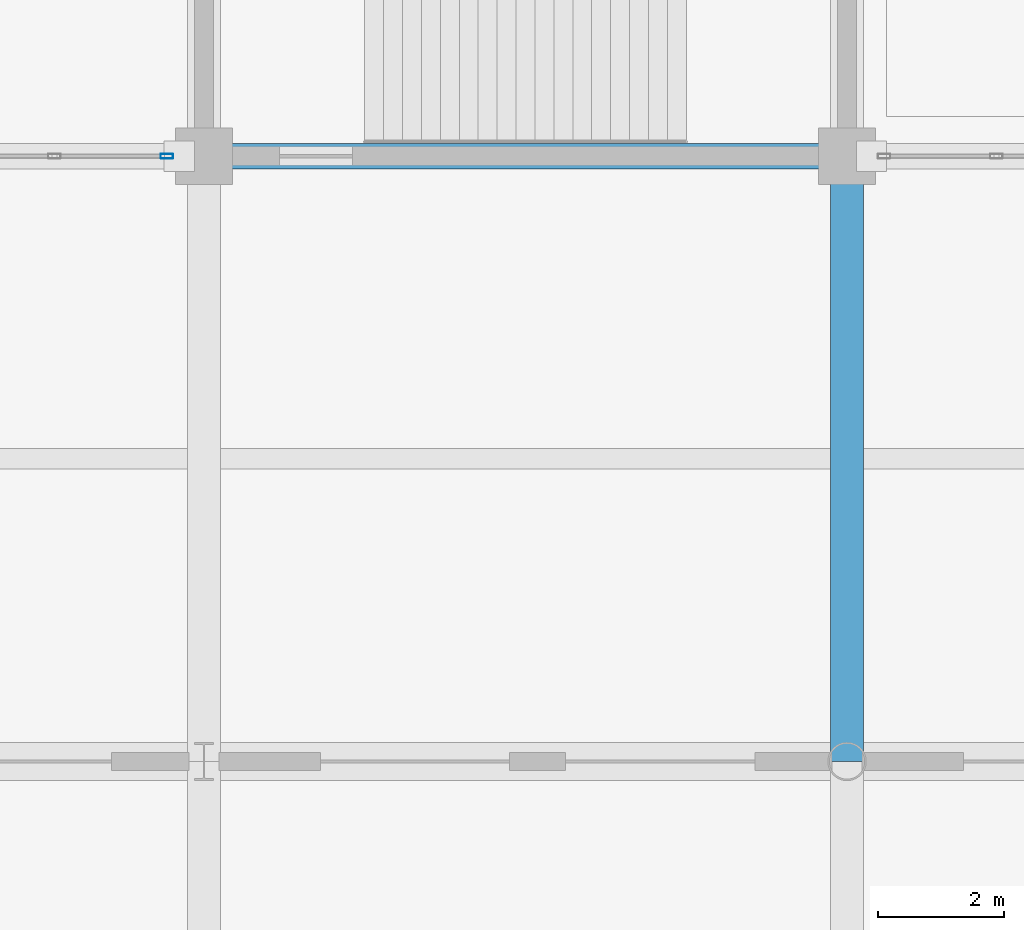
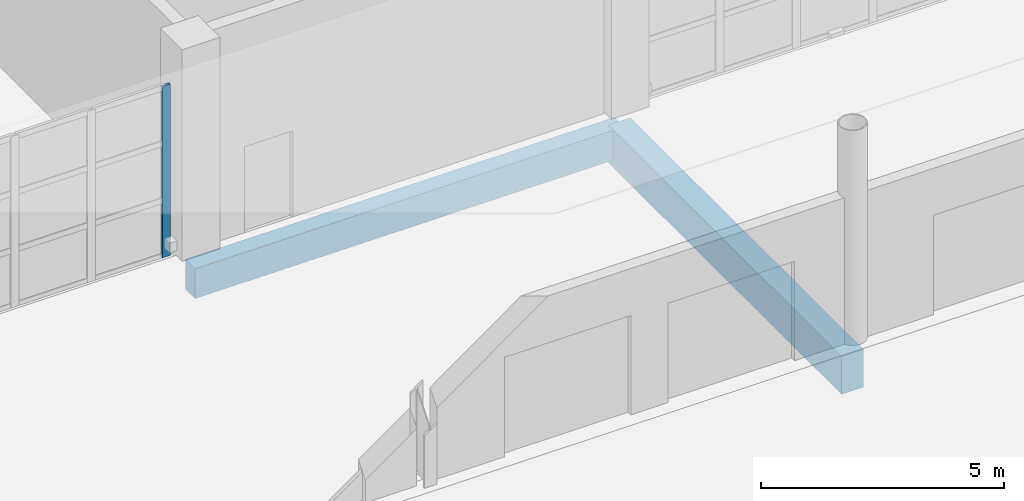
# One storey, part 40 of 124: 2 beams, 1 member, 1 element without a shape of its own.
"""IFC4 building model written with IfcOpenShell, lengths in metres."""

from ifc_helpers import new_model, si_unit, direction, frame, origin, origin_2d, place, context, subcontext, project, spatial, rectangle, hollow_rectangle, extrude, material, material_profile, profile_set, type_object, element, aggregate, save


model = new_model("IFC4")

# Units and contexts
model_context = context("Model", 3, precision=1e-05, world=origin(), true_north=direction((0.0, 1.0)))
body_context = subcontext(model_context, "Body", "Model", "MODEL_VIEW")
ifc_project = project(units=[si_unit("LENGTHUNIT", "METRE"), si_unit("AREAUNIT", "SQUARE_METRE"), si_unit("VOLUMEUNIT", "CUBIC_METRE"), si_unit("PLANEANGLEUNIT", "RADIAN"), si_unit("MASSUNIT", "GRAM", prefix="KILO")], contexts=[model_context])

# Site, building, storey
site_placement = place(None, origin())
site = spatial("IfcSite", under=ifc_project, at=site_placement, CompositionType="ELEMENT")
building_placement = place(site_placement, origin())
building = spatial("IfcBuilding", under=site, at=building_placement, Name="Brelvane Convention Centre", CompositionType="ELEMENT")
storey_placement = place(building_placement, origin())
storey = spatial("IfcBuildingStorey", under=building, at=storey_placement, Name="L00", CompositionType="ELEMENT", Elevation=0.0)

# Curtain wall, member
ifc_material_1 = material(Name="Anodised Aluminium Alloy 6063-T6", Category="aluminium")
curtain_wall_type = type_object("IfcCurtainWallType", Name="Curtain Wall CW-COURT", PredefinedType="USERDEFINED", material=ifc_material_1)
curtain_wall_placement = place(storey_placement, origin())
curtain_wall = element("IfcCurtainWall", 1, at=curtain_wall_placement, inside=storey, type_object=curtain_wall_type, Name="Curtain Wall CW-COURT L00-V4S-03", ObjectType="UNITISED", PredefinedType="USERDEFINED")
ifc_material_2 = material(Name="Anodised Aluminium Alloy 6063-T6", Category="aluminium")
ifc_material_profile_1 = material_profile(ifc_material_2, hollow_rectangle(XDim=0.074951171875, YDim=0.199951171875, WallThickness=0.0048828125, InnerFilletRadius=0.0048828125, OuterFilletRadius=0.010009765625, at=origin_2d()), Name="ALU-M 200x75x5.0")
ifc_profile_set_1 = profile_set([ifc_material_profile_1], Name="Anodised Aluminium Alloy 6063-T6")
member_type = type_object("IfcMemberType", Name="Curtain Mullion CW-M2", PredefinedType="MULLION", material=ifc_profile_set_1)
member_placement = place(storey_placement, frame((30.012451171875, 109.199951171875, 0.0), z_axis=(0.0, 0.0, 1.0), x_axis=(0.0, 1.0, 0.0)))
member = element("IfcMember", 2, at=member_placement, type_object=member_type, Name="CW-COURT mullion 6", PredefinedType="MULLION", context=body_context, shape_type="SweptSolid", body=[
    extrude(hollow_rectangle(XDim=0.074951171875, YDim=0.199951171875, WallThickness=0.0048828125, InnerFilletRadius=0.0048828125, OuterFilletRadius=0.010009765625, at=origin_2d()), origin(), (0.0, 0.0, 1.0), 4.300048828125),
])
aggregate(curtain_wall, [member])

# Beams
ifc_material_3 = material(Name="Concrete M50", Category="concrete")
ifc_material_profile_2 = material_profile(ifc_material_3, rectangle(XDim=0.52001953125, YDim=0.949951171875, at=origin_2d()), Name="RC 520x950")
ifc_profile_set_2 = profile_set([ifc_material_profile_2], Name="Concrete M50")
beam_type_1 = type_object("IfcBeamType", Name="RC Beam B-RC9 (RC 520x950)", PredefinedType="BEAM", material=ifc_profile_set_2)
beam_1_placement = place(storey_placement, frame((40.800048828125, 99.60009765625, -0.875), z_axis=(0.0, 1.0, 0.0), x_axis=(-1.0, 0.0, 0.0)))
element("IfcBeam", 3, at=beam_1_placement, inside=storey, type_object=beam_type_1, Name="L00 Girder 5/K-L", PredefinedType="BEAM", context=body_context, shape_type="SweptSolid", body=[
    extrude(rectangle(XDim=0.52001953125, YDim=0.949951171875, at=origin_2d()), origin(), (0.0, 0.0, 1.0), 9.599853515625),
])
ifc_material_4 = material(Name="Concrete M40", Category="concrete")
ifc_material_profile_3 = material_profile(ifc_material_4, rectangle(XDim=0.39990234375, YDim=0.75, at=origin_2d()), Name="RC 400x750")
ifc_profile_set_3 = profile_set([ifc_material_profile_3], Name="Concrete M40")
beam_type_2 = type_object("IfcBeamType", Name="RC Spandrel SP-RC1 (RC 400x750)", PredefinedType="SPANDREL", material=ifc_profile_set_3)
beam_2_placement = place(storey_placement, frame((30.60009765625, 109.199951171875, -0.7900390625), z_axis=(1.0, 0.0, 0.0), x_axis=(0.0, 1.0, 0.0)))
element("IfcBeam", 4, at=beam_2_placement, inside=storey, type_object=beam_type_2, Name="L00 Beam 4-5/L", PredefinedType="SPANDREL", context=body_context, shape_type="SweptSolid", body=[
    extrude(rectangle(XDim=0.39990234375, YDim=0.75, at=origin_2d()), origin(), (0.0, 0.0, 1.0), 10.199951171875),
])

save(model, "model.ifc")
